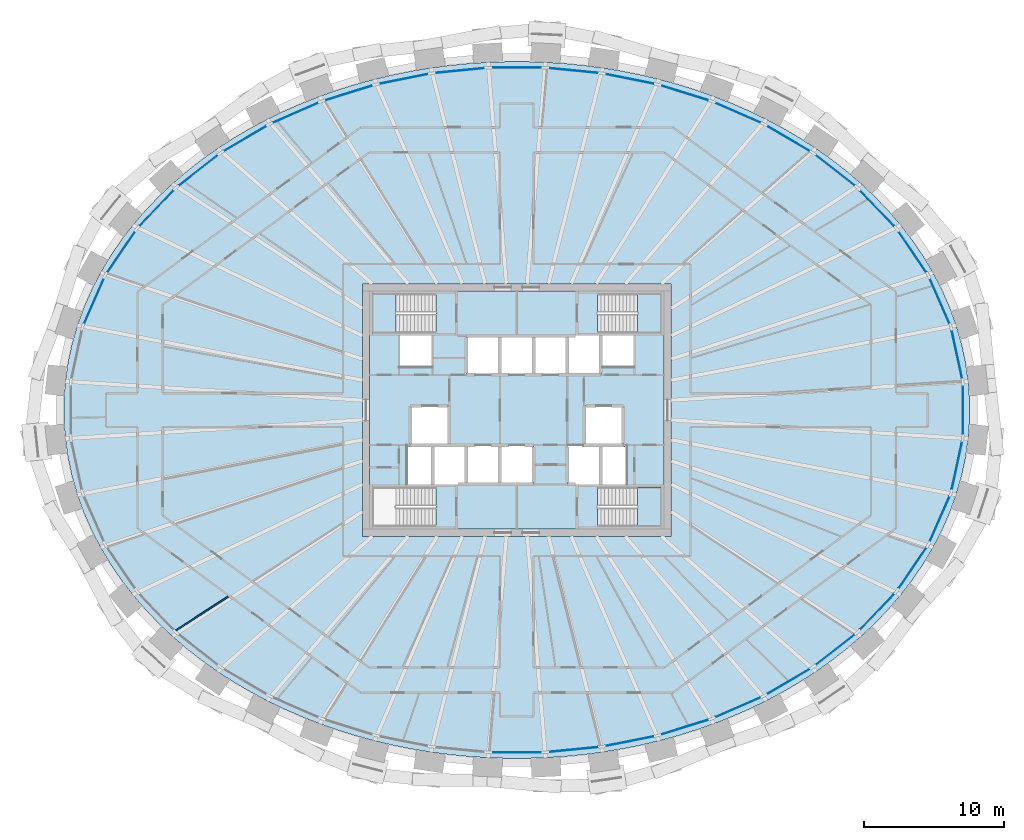
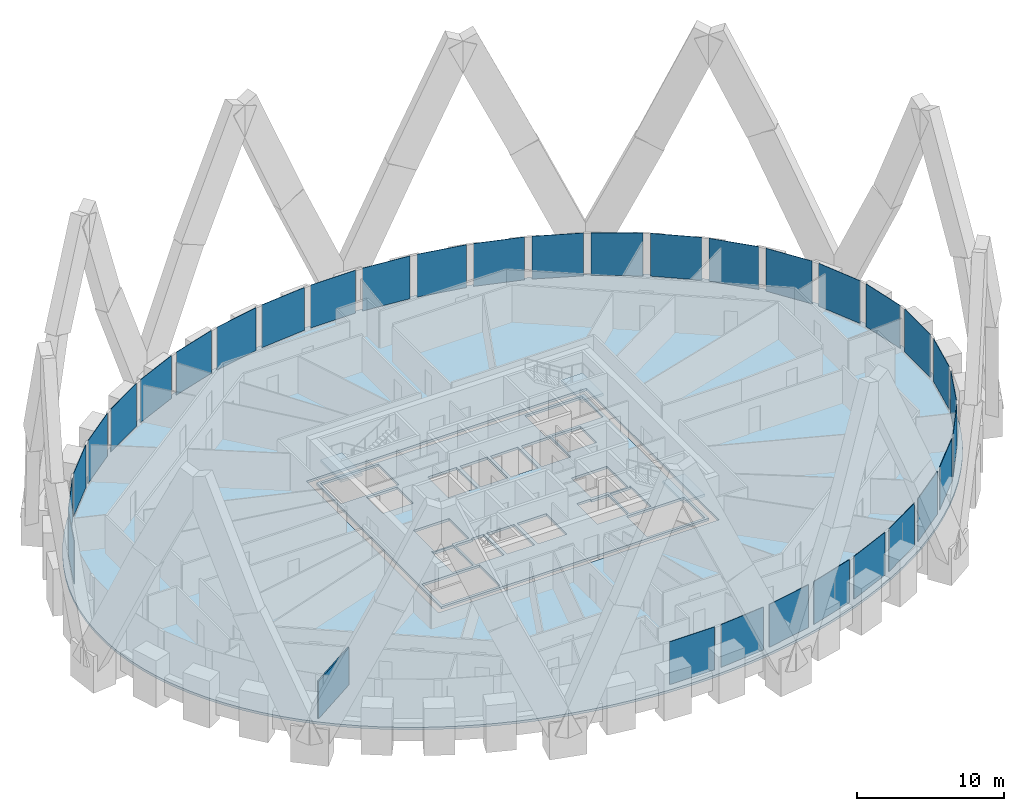
# One storey, part 6 of 14: 32 plates, 5 slabs, 1 wall, 4 elements without a shape of their own.
"""IFC4 building model written with IfcOpenShell, lengths in metres."""

from ifc_helpers import new_model, si_unit, direction, frame, frame_2d, origin, origin_2d, place, context, subcontext, project, spatial, polyline, rectangle, outline, extrude, source, transform, mapped, material, layer, layer_set, type_object, element, aggregate, save


model = new_model("IFC4")

# Units and contexts
model_context = context("Model", 3, precision=1e-05, world=origin(), true_north=direction((0.0, 1.0)))
body_context = subcontext(model_context, "Body", "Model", "MODEL_VIEW")
ifc_project = project(units=[si_unit("LENGTHUNIT", "METRE"), si_unit("AREAUNIT", "SQUARE_METRE"), si_unit("VOLUMEUNIT", "CUBIC_METRE"), si_unit("PLANEANGLEUNIT", "RADIAN"), si_unit("MASSUNIT", "GRAM", prefix="KILO")], contexts=[model_context])

# Site, building, storey
site_placement = place(None, origin())
site = spatial("IfcSite", under=ifc_project, at=site_placement, CompositionType="ELEMENT")
building_placement = place(site_placement, origin())
building = spatial("IfcBuilding", under=site, at=building_placement, Name="Embergate Tower", CompositionType="ELEMENT")
storey_placement = place(building_placement, frame((0.0, 0.0, 257.800048828125)))
storey = spatial("IfcBuildingStorey", under=building, at=storey_placement, Name="L59", CompositionType="ELEMENT", Elevation=257.800048828125)

# Slab
ifc_material_1 = material(Name="Concrete C40", Category="concrete")
ifc_layer_1 = layer(ifc_material_1, 0.199951171875)
ifc_layer_set_1 = layer_set([ifc_layer_1], Name="Concrete C40")
slab_type_1 = type_object("IfcSlabType", Name="Composite floor slab C40 200", PredefinedType="FLOOR", material=ifc_layer_set_1)
shared_shape_1 = source(origin(), body_context, "Body", "SweptSolid", [
    extrude(outline(polyline([(0.0, 0.0), (1.3662109375, 0.0), (2.731201171875, 0.044189453125), (4.09716796875, 0.133056640625), (5.4560546875, 0.26708984375), (6.80712890625, 0.445068359375), (8.16015625, 0.669189453125), (9.5, 0.93798828125), (10.822998046875, 1.25), (12.149169921875, 1.612060546875), (13.453125, 2.01806640625), (14.734130859375, 2.468017578125), (16.01611328125, 2.97216796875), (17.26708984375, 3.51904296875), (18.486083984375, 4.109130859375), (19.703125, 4.759033203125), (20.881103515625, 5.451171875), (22.01611328125, 6.18408203125), (23.14306640625, 6.984130859375), (24.22021484375, 7.8251953125), (25.244140625, 8.703125), (26.248046875, 9.655029296875), (27.191162109375, 10.64306640625), (28.069091796875, 11.666015625), (28.9111328125, 12.76318359375), (29.67822265625, 13.89208984375), (30.3701171875, 15.050048828125), (31.003173828125, 16.276123046875), (31.552001953125, 17.526123046875), (32.01318359375, 18.796142578125), (32.39404296875, 20.1171875), (32.68115234375, 21.451171875), (32.873046875, 22.795166015625), (32.97119140625, 24.158203125), (32.97119140625, 25.52197265625), (32.873046875, 26.885009765625), (32.68115234375, 28.22900390625), (32.39404296875, 29.56298828125), (32.01318359375, 30.884033203125), (31.552001953125, 32.154052734375), (31.003173828125, 33.404052734375), (30.3701171875, 34.630126953125), (29.67822265625, 35.7880859375), (28.9111328125, 36.9169921875), (28.069091796875, 38.01416015625), (27.191162109375, 39.037109375), (26.248046875, 40.025146484375), (25.244140625, 40.97705078125), (24.22021484375, 41.85498046875), (23.14306640625, 42.696044921875), (22.01611328125, 43.49609375), (20.881103515625, 44.22900390625), (19.703125, 44.921142578125), (18.486083984375, 45.571044921875), (17.26708984375, 46.1611328125), (16.01611328125, 46.7080078125), (14.734130859375, 47.212158203125), (13.453125, 47.662109375), (12.149169921875, 48.068115234375), (10.822998046875, 48.43017578125), (9.5, 48.7421875), (8.16015625, 49.010986328125), (6.80712890625, 49.235107421875), (5.4560546875, 49.4130859375), (4.09716796875, 49.547119140625), (2.731201171875, 49.635986328125), (1.3662109375, 49.68017578125), (0.0, 49.68017578125), (-1.364990234375, 49.635986328125), (-2.73095703125, 49.547119140625), (-4.08984375, 49.4130859375), (-5.44091796875, 49.235107421875), (-6.7939453125, 49.010986328125), (-8.1337890625, 48.7421875), (-9.456787109375, 48.43017578125), (-10.782958984375, 48.068115234375), (-12.0869140625, 47.662109375), (-13.367919921875, 47.212158203125), (-14.64990234375, 46.7080078125), (-15.90087890625, 46.1611328125), (-17.119873046875, 45.571044921875), (-18.3369140625, 44.921142578125), (-19.514892578125, 44.22900390625), (-20.64990234375, 43.49609375), (-21.77685546875, 42.696044921875), (-22.85400390625, 41.85498046875), (-23.8779296875, 40.97705078125), (-24.8818359375, 40.025146484375), (-25.824951171875, 39.037109375), (-26.702880859375, 38.01416015625), (-27.544921875, 36.9169921875), (-28.31201171875, 35.7880859375), (-29.00390625, 34.630126953125), (-29.636962890625, 33.404052734375), (-30.185791015625, 32.154052734375), (-30.64697265625, 30.884033203125), (-31.02783203125, 29.56298828125), (-31.31494140625, 28.22900390625), (-31.5068359375, 26.885009765625), (-31.60498046875, 25.52197265625), (-31.60498046875, 24.158203125), (-31.5068359375, 22.795166015625), (-31.31494140625, 21.451171875), (-31.02783203125, 20.1171875), (-30.64697265625, 18.796142578125), (-30.185791015625, 17.526123046875), (-29.636962890625, 16.276123046875), (-29.00390625, 15.050048828125), (-28.31201171875, 13.89208984375), (-27.544921875, 12.76318359375), (-26.702880859375, 11.666015625), (-25.824951171875, 10.64306640625), (-24.8818359375, 9.655029296875), (-23.8779296875, 8.703125), (-22.85400390625, 7.8251953125), (-21.77685546875, 6.984130859375), (-20.64990234375, 6.18408203125), (-19.514892578125, 5.451171875), (-18.3369140625, 4.759033203125), (-17.119873046875, 4.109130859375), (-15.90087890625, 3.51904296875), (-14.64990234375, 2.97216796875), (-13.367919921875, 2.468017578125), (-12.0869140625, 2.01806640625), (-10.782958984375, 1.612060546875), (-9.456787109375, 1.25), (-8.1337890625, 0.93798828125), (-6.7939453125, 0.669189453125), (-5.44091796875, 0.445068359375), (-4.08984375, 0.26708984375), (-2.73095703125, 0.133056640625), (-1.364990234375, 0.044189453125), (0.0, 0.0)]), holes=[polyline([(-10.31689453125, 15.840087890625), (-10.31689453125, 33.840087890625), (11.68310546875, 33.840087890625), (11.68310546875, 15.840087890625), (-10.31689453125, 15.840087890625)])]), origin(), (0.0, 0.0, 1.0), 0.199951171875),
])
slab_1_placement = place(storey_placement, frame((-0.68310546875, -24.840087890625, -0.199951171875)))
element("IfcSlab", 1, at=slab_1_placement, inside=storey, type_object=slab_type_1, Name="SLB-L59-00", PredefinedType="FLOOR", context=body_context, shape_type="MappedRepresentation", body=[
    mapped(shared_shape_1, transform((0.0, 0.0, 0.0))),
])

# Curtain wall, plates
ifc_material_2 = material(Name="Aluminium and glass", Category="aluminium")
curtain_wall_type = type_object("IfcCurtainWallType", Name="Recessed office glazing", PredefinedType="NOTDEFINED", material=ifc_material_2)
curtain_wall_placement = place(storey_placement, origin())
curtain_wall = element("IfcCurtainWall", 2, at=curtain_wall_placement, inside=storey, type_object=curtain_wall_type, Name="Recessed office glazing ring", ObjectType="RECESSED OFFICE GLAZING", PredefinedType="USERDEFINED")
ifc_material_3 = material(Name="Triple glazing, low-emissivity coating", Category="glass")
ifc_layer_2 = layer(ifc_material_3, 0.035888671875)
ifc_layer_set_2 = layer_set([ifc_layer_2], Name="Triple glazing, low-emissivity coating")
plate_type = type_object("IfcPlateType", Name="Office glazing unit", PredefinedType="CURTAIN_PANEL", material=ifc_layer_set_2)
shared_shape_2 = source(origin(), body_context, "Body", "SweptSolid", [
    extrude(rectangle(XDim=3.489013671875, YDim=0.035888671875, at=origin_2d()), origin(), (0.0, 0.0, 1.0), 3.550048828125),
])
plate_1_placement = place(storey_placement, frame((31.380859375, 3.962890625, 0.14990234375), z_axis=(0.0, 0.0, 1.0), x_axis=(-0.210401803698, 0.977614996305, 0.0)))
plate_1 = element("IfcPlate", 3, at=plate_1_placement, type_object=plate_type, Name="CW panel 1.1", PredefinedType="CURTAIN_PANEL", context=body_context, shape_type="MappedRepresentation", body=[
    mapped(shared_shape_2, transform((0.0, 0.0, 0.0))),
])
plate_2_placement = place(storey_placement, frame((31.380859375, -3.962890625, 0.14990234375), z_axis=(0.0, 0.0, 1.0), x_axis=(0.210401803698, 0.977614996305, 0.0)))
plate_2 = element("IfcPlate", 4, at=plate_2_placement, type_object=plate_type, Name="CW panel 43.1", PredefinedType="CURTAIN_PANEL", context=body_context, shape_type="MappedRepresentation", body=[
    mapped(shared_shape_2, transform((0.0, 0.0, 0.0))),
])
shared_shape_3 = source(origin(), body_context, "Body", "SweptSolid", [
    extrude(rectangle(XDim=3.495849609375, YDim=0.035888671875, at=origin_2d()), origin(), (0.0, 0.0, 1.0), 3.550048828125),
])
plate_3_placement = place(storey_placement, frame((30.152587890625, 7.761474609375, 0.14990234375), z_axis=(0.0, 0.0, 1.0), x_axis=(-0.401656896229, 0.915790225822, 0.0)))
plate_3 = element("IfcPlate", 5, at=plate_3_placement, type_object=plate_type, Name="CW panel 2.1", PredefinedType="CURTAIN_PANEL", context=body_context, shape_type="MappedRepresentation", body=[
    mapped(shared_shape_3, transform((0.0, 0.0, 0.0))),
])
plate_4_placement = place(storey_placement, frame((-30.152587890625, 7.761474609375, 0.14990234375), z_axis=(0.0, 0.0, 1.0), x_axis=(-0.401656896229, -0.915790225822, 0.0)))
plate_4 = element("IfcPlate", 6, at=plate_4_placement, type_object=plate_type, Name="CW panel 20.1", PredefinedType="CURTAIN_PANEL", context=body_context, shape_type="MappedRepresentation", body=[
    mapped(shared_shape_3, transform((0.0, 0.0, 0.0))),
])
plate_5_placement = place(storey_placement, frame((30.152587890625, -7.761474609375, 0.14990234375), z_axis=(0.0, 0.0, 1.0), x_axis=(0.401656896229, 0.915790225822, 0.0)))
plate_5 = element("IfcPlate", 7, at=plate_5_placement, type_object=plate_type, Name="CW panel 42.1", PredefinedType="CURTAIN_PANEL", context=body_context, shape_type="MappedRepresentation", body=[
    mapped(shared_shape_3, transform((0.0, 0.0, 0.0))),
])
shared_shape_4 = source(origin(), body_context, "Body", "SweptSolid", [
    extrude(rectangle(XDim=3.504638671875, YDim=0.035888671875, at=origin_2d()), origin(), (0.0, 0.0, 1.0), 3.550048828125),
])
plate_6_placement = place(storey_placement, frame((28.214599609375, 11.264404296875, 0.14990234375), z_axis=(0.0, 0.0, 1.0), x_axis=(-0.562346071572, 0.826901986809, 0.0)))
plate_6 = element("IfcPlate", 8, at=plate_6_placement, type_object=plate_type, Name="CW panel 3.1", PredefinedType="CURTAIN_PANEL", context=body_context, shape_type="MappedRepresentation", body=[
    mapped(shared_shape_4, transform((0.0, 0.0, 0.0))),
])
plate_7_placement = place(storey_placement, frame((-28.214599609375, 11.264404296875, 0.14990234375), z_axis=(0.0, 0.0, 1.0), x_axis=(-0.562346071572, -0.826901986809, 0.0)))
plate_7 = element("IfcPlate", 9, at=plate_7_placement, type_object=plate_type, Name="CW panel 19.1", PredefinedType="CURTAIN_PANEL", context=body_context, shape_type="MappedRepresentation", body=[
    mapped(shared_shape_4, transform((0.0, 0.0, 0.0))),
])
plate_8_placement = place(storey_placement, frame((28.214599609375, -11.264404296875, 0.14990234375), z_axis=(0.0, 0.0, 1.0), x_axis=(0.562346071572, 0.826901986809, 0.0)))
plate_8 = element("IfcPlate", 10, at=plate_8_placement, type_object=plate_type, Name="CW panel 41.1", PredefinedType="CURTAIN_PANEL", context=body_context, shape_type="MappedRepresentation", body=[
    mapped(shared_shape_4, transform((0.0, 0.0, 0.0))),
])
shared_shape_5 = source(origin(), body_context, "Body", "SweptSolid", [
    extrude(rectangle(XDim=3.51318359375, YDim=0.035888671875, at=origin_2d()), origin(), (0.0, 0.0, 1.0), 3.550048828125),
])
plate_9_placement = place(storey_placement, frame((25.691162109375, 14.3876953125, 0.14990234375), z_axis=(0.0, 0.0, 1.0), x_axis=(-0.690137573644, 0.723678194673, 0.0)))
plate_9 = element("IfcPlate", 11, at=plate_9_placement, type_object=plate_type, Name="CW panel 4.1", PredefinedType="CURTAIN_PANEL", context=body_context, shape_type="MappedRepresentation", body=[
    mapped(shared_shape_5, transform((0.0, 0.0, 0.0))),
])
plate_10_placement = place(storey_placement, frame((-25.691162109375, 14.3876953125, 0.14990234375), z_axis=(0.0, 0.0, 1.0), x_axis=(-0.690137573644, -0.723678194673, 0.0)))
plate_10 = element("IfcPlate", 12, at=plate_10_placement, type_object=plate_type, Name="CW panel 18.1", PredefinedType="CURTAIN_PANEL", context=body_context, shape_type="MappedRepresentation", body=[
    mapped(shared_shape_5, transform((0.0, 0.0, 0.0))),
])
plate_11_placement = place(storey_placement, frame((25.691162109375, -14.3876953125, 0.14990234375), z_axis=(0.0, 0.0, 1.0), x_axis=(0.690137573644, 0.723678194673, 0.0)))
plate_11 = element("IfcPlate", 13, at=plate_11_placement, type_object=plate_type, Name="CW panel 40.1", PredefinedType="CURTAIN_PANEL", context=body_context, shape_type="MappedRepresentation", body=[
    mapped(shared_shape_5, transform((0.0, 0.0, 0.0))),
])
shared_shape_6 = source(origin(), body_context, "Body", "SweptSolid", [
    extrude(rectangle(XDim=3.5205078125, YDim=0.035888671875, at=origin_2d()), origin(), (0.0, 0.0, 1.0), 3.550048828125),
])
plate_12_placement = place(storey_placement, frame((22.706787109375, 17.08984375, 0.14990234375), z_axis=(0.0, 0.0, 1.0), x_axis=(-0.788322266931, 0.615262548398, 0.0)))
plate_12 = element("IfcPlate", 14, at=plate_12_placement, type_object=plate_type, Name="CW panel 5.1", PredefinedType="CURTAIN_PANEL", context=body_context, shape_type="MappedRepresentation", body=[
    mapped(shared_shape_6, transform((0.0, 0.0, 0.0))),
])
plate_13_placement = place(storey_placement, frame((-22.706787109375, 17.08984375, 0.14990234375), z_axis=(0.0, 0.0, 1.0), x_axis=(-0.788322266931, -0.615262548398, 0.0)))
plate_13 = element("IfcPlate", 15, at=plate_13_placement, type_object=plate_type, Name="CW panel 17.1", PredefinedType="CURTAIN_PANEL", context=body_context, shape_type="MappedRepresentation", body=[
    mapped(shared_shape_6, transform((0.0, 0.0, 0.0))),
])
plate_14_placement = place(storey_placement, frame((22.706787109375, -17.08984375, 0.14990234375), z_axis=(0.0, 0.0, 1.0), x_axis=(0.788322266931, 0.615262548398, 0.0)))
plate_14 = element("IfcPlate", 16, at=plate_14_placement, type_object=plate_type, Name="CW panel 39.1", PredefinedType="CURTAIN_PANEL", context=body_context, shape_type="MappedRepresentation", body=[
    mapped(shared_shape_6, transform((0.0, 0.0, 0.0))),
])
shared_shape_7 = source(origin(), body_context, "Body", "SweptSolid", [
    extrude(rectangle(XDim=3.5263671875, YDim=0.035888671875, at=origin_2d()), origin(), (0.0, 0.0, 1.0), 3.550048828125),
])
plate_15_placement = place(storey_placement, frame((19.370361328125, 19.358154296875, 0.14990234375), z_axis=(0.0, 0.0, 1.0), x_axis=(-0.862054936934, 0.506814843614, 0.0)))
plate_15 = element("IfcPlate", 17, at=plate_15_placement, type_object=plate_type, Name="CW panel 6.1", PredefinedType="CURTAIN_PANEL", context=body_context, shape_type="MappedRepresentation", body=[
    mapped(shared_shape_7, transform((0.0, 0.0, 0.0))),
])
plate_16_placement = place(storey_placement, frame((-19.370361328125, 19.358154296875, 0.14990234375), z_axis=(0.0, 0.0, 1.0), x_axis=(-0.862054936934, -0.506814843614, 0.0)))
plate_16 = element("IfcPlate", 18, at=plate_16_placement, type_object=plate_type, Name="CW panel 16.1", PredefinedType="CURTAIN_PANEL", context=body_context, shape_type="MappedRepresentation", body=[
    mapped(shared_shape_7, transform((0.0, 0.0, 0.0))),
])
plate_17_placement = place(storey_placement, frame((19.370361328125, -19.358154296875, 0.14990234375), z_axis=(0.0, 0.0, 1.0), x_axis=(0.862054936934, 0.506814843614, 0.0)))
plate_17 = element("IfcPlate", 19, at=plate_17_placement, type_object=plate_type, Name="CW panel 38.1", PredefinedType="CURTAIN_PANEL", context=body_context, shape_type="MappedRepresentation", body=[
    mapped(shared_shape_7, transform((0.0, 0.0, 0.0))),
])
shared_shape_8 = source(origin(), body_context, "Body", "SweptSolid", [
    extrude(rectangle(XDim=3.53076171875, YDim=0.035888671875, at=origin_2d()), origin(), (0.0, 0.0, 1.0), 3.550048828125),
])
plate_18_placement = place(storey_placement, frame((15.7705078125, 21.195068359375, 0.14990234375), z_axis=(0.0, 0.0, 1.0), x_axis=(-0.916236910986, 0.400636896638, 0.0)))
plate_18 = element("IfcPlate", 20, at=plate_18_placement, type_object=plate_type, Name="CW panel 7.1", PredefinedType="CURTAIN_PANEL", context=body_context, shape_type="MappedRepresentation", body=[
    mapped(shared_shape_8, transform((0.0, 0.0, 0.0))),
])
plate_19_placement = place(storey_placement, frame((-15.7705078125, 21.195068359375, 0.14990234375), z_axis=(0.0, 0.0, 1.0), x_axis=(-0.916236910986, -0.400636896638, 0.0)))
plate_19 = element("IfcPlate", 21, at=plate_19_placement, type_object=plate_type, Name="CW panel 15.1", PredefinedType="CURTAIN_PANEL", context=body_context, shape_type="MappedRepresentation", body=[
    mapped(shared_shape_8, transform((0.0, 0.0, 0.0))),
])
plate_20_placement = place(storey_placement, frame((15.7705078125, -21.195068359375, 0.14990234375), z_axis=(0.0, 0.0, 1.0), x_axis=(0.916236910986, 0.400636896638, 0.0)))
plate_20 = element("IfcPlate", 22, at=plate_20_placement, type_object=plate_type, Name="CW panel 37.1", PredefinedType="CURTAIN_PANEL", context=body_context, shape_type="MappedRepresentation", body=[
    mapped(shared_shape_8, transform((0.0, 0.0, 0.0))),
])
shared_shape_9 = source(origin(), body_context, "Body", "SweptSolid", [
    extrude(rectangle(XDim=3.533935546875, YDim=0.035888671875, at=origin_2d()), origin(), (0.0, 0.0, 1.0), 3.550048828125),
])
plate_21_placement = place(storey_placement, frame((11.9794921875, 22.609130859375, 0.14990234375), z_axis=(0.0, 0.0, 1.0), x_axis=(-0.954772736126, 0.297336547283, 0.0)))
plate_21 = element("IfcPlate", 23, at=plate_21_placement, type_object=plate_type, Name="CW panel 8.1", PredefinedType="CURTAIN_PANEL", context=body_context, shape_type="MappedRepresentation", body=[
    mapped(shared_shape_9, transform((0.0, 0.0, 0.0))),
])
plate_22_placement = place(storey_placement, frame((-11.9794921875, 22.609130859375, 0.14990234375), z_axis=(0.0, 0.0, 1.0), x_axis=(-0.954772736126, -0.297336547283, 0.0)))
plate_22 = element("IfcPlate", 24, at=plate_22_placement, type_object=plate_type, Name="CW panel 14.1", PredefinedType="CURTAIN_PANEL", context=body_context, shape_type="MappedRepresentation", body=[
    mapped(shared_shape_9, transform((0.0, 0.0, 0.0))),
])
plate_23_placement = place(storey_placement, frame((11.9794921875, -22.609130859375, 0.14990234375), z_axis=(0.0, 0.0, 1.0), x_axis=(0.954772736126, 0.297336547283, 0.0)))
plate_23 = element("IfcPlate", 25, at=plate_23_placement, type_object=plate_type, Name="CW panel 36.1", PredefinedType="CURTAIN_PANEL", context=body_context, shape_type="MappedRepresentation", body=[
    mapped(shared_shape_9, transform((0.0, 0.0, 0.0))),
])
shared_shape_10 = source(origin(), body_context, "Body", "SweptSolid", [
    extrude(rectangle(XDim=3.5361328125, YDim=0.035888671875, at=origin_2d()), origin(), (0.0, 0.0, 1.0), 3.550048828125),
])
plate_24_placement = place(storey_placement, frame((8.055419921875, 23.610595703125, 0.14990234375), z_axis=(0.0, 0.0, 1.0), x_axis=(-0.980475907409, 0.196639250889, 0.0)))
plate_24 = element("IfcPlate", 26, at=plate_24_placement, type_object=plate_type, Name="CW panel 9.1", PredefinedType="CURTAIN_PANEL", context=body_context, shape_type="MappedRepresentation", body=[
    mapped(shared_shape_10, transform((0.0, 0.0, 0.0))),
])
plate_25_placement = place(storey_placement, frame((-8.055419921875, 23.610595703125, 0.14990234375), z_axis=(0.0, 0.0, 1.0), x_axis=(-0.980475907409, -0.196639250889, 0.0)))
plate_25 = element("IfcPlate", 27, at=plate_25_placement, type_object=plate_type, Name="CW panel 13.1", PredefinedType="CURTAIN_PANEL", context=body_context, shape_type="MappedRepresentation", body=[
    mapped(shared_shape_10, transform((0.0, 0.0, 0.0))),
])
plate_26_placement = place(storey_placement, frame((8.055419921875, -23.610595703125, 0.14990234375), z_axis=(0.0, 0.0, 1.0), x_axis=(0.980475907409, 0.196639250889, 0.0)))
plate_26 = element("IfcPlate", 28, at=plate_26_placement, type_object=plate_type, Name="CW panel 35.1", PredefinedType="CURTAIN_PANEL", context=body_context, shape_type="MappedRepresentation", body=[
    mapped(shared_shape_10, transform((0.0, 0.0, 0.0))),
])
shared_shape_11 = source(origin(), body_context, "Body", "SweptSolid", [
    extrude(rectangle(XDim=3.53759765625, YDim=0.035888671875, at=origin_2d()), origin(), (0.0, 0.0, 1.0), 3.550048828125),
])
plate_27_placement = place(storey_placement, frame((4.048095703125, 24.2080078125, 0.14990234375), z_axis=(0.0, 0.0, 1.0), x_axis=(-0.995203184788, 0.097829550688, 0.0)))
plate_27 = element("IfcPlate", 29, at=plate_27_placement, type_object=plate_type, Name="CW panel 10.1", PredefinedType="CURTAIN_PANEL", context=body_context, shape_type="MappedRepresentation", body=[
    mapped(shared_shape_11, transform((0.0, 0.0, 0.0))),
])
plate_28_placement = place(storey_placement, frame((-4.048095703125, 24.2080078125, 0.14990234375), z_axis=(0.0, 0.0, 1.0), x_axis=(-0.995203184788, -0.097829550688, 0.0)))
plate_28 = element("IfcPlate", 30, at=plate_28_placement, type_object=plate_type, Name="CW panel 12.1", PredefinedType="CURTAIN_PANEL", context=body_context, shape_type="MappedRepresentation", body=[
    mapped(shared_shape_11, transform((0.0, 0.0, 0.0))),
])
plate_29_placement = place(storey_placement, frame((4.048095703125, -24.2080078125, 0.14990234375), z_axis=(0.0, 0.0, 1.0), x_axis=(0.995203184788, 0.097829550688, 0.0)))
plate_29 = element("IfcPlate", 31, at=plate_29_placement, type_object=plate_type, Name="CW panel 34.1", PredefinedType="CURTAIN_PANEL", context=body_context, shape_type="MappedRepresentation", body=[
    mapped(shared_shape_11, transform((0.0, 0.0, 0.0))),
])
shared_shape_12 = source(origin(), body_context, "Body", "SweptSolid", [
    extrude(rectangle(XDim=3.537841796875, YDim=0.035888671875, at=origin_2d()), origin(), (0.0, 0.0, 1.0), 3.550048828125),
])
plate_30_placement = place(storey_placement, frame((0.0, 24.406494140625, 0.14990234375), z_axis=(0.0, 0.0, 1.0), x_axis=(-1.0, 0.0, 0.0)))
plate_30 = element("IfcPlate", 32, at=plate_30_placement, type_object=plate_type, Name="CW panel 11.1", PredefinedType="CURTAIN_PANEL", context=body_context, shape_type="MappedRepresentation", body=[
    mapped(shared_shape_12, transform((0.0, 0.0, 0.0))),
])
plate_31_placement = place(storey_placement, frame((0.0, -24.406494140625, 0.14990234375), z_axis=(0.0, 0.0, 1.0), x_axis=(1.0, 0.0, 0.0)))
plate_31 = element("IfcPlate", 33, at=plate_31_placement, type_object=plate_type, Name="CW panel 33.1", PredefinedType="CURTAIN_PANEL", context=body_context, shape_type="MappedRepresentation", body=[
    mapped(shared_shape_12, transform((0.0, 0.0, 0.0))),
])
shared_shape_13 = source(origin(), body_context, "Body", "SweptSolid", [
    extrude(rectangle(XDim=3.486572265625, YDim=0.035888671875, at=origin_2d()), origin(), (0.0, 0.0, 1.0), 3.550048828125),
])
plate_32_placement = place(storey_placement, frame((31.802490234375, 0.0, 0.14990234375), z_axis=(0.0, 0.0, 1.0), x_axis=(0.0, 1.0, 0.0)))
plate_32 = element("IfcPlate", 34, at=plate_32_placement, type_object=plate_type, Name="CW panel 44.1", PredefinedType="CURTAIN_PANEL", context=body_context, shape_type="MappedRepresentation", body=[
    mapped(shared_shape_13, transform((0.0, 0.0, 0.0))),
])
aggregate(curtain_wall, [plate_1, plate_3, plate_6, plate_9, plate_12, plate_15, plate_18, plate_21, plate_24, plate_27, plate_30, plate_28, plate_25, plate_22, plate_19, plate_16, plate_13, plate_10, plate_7, plate_4, plate_31, plate_29, plate_26, plate_23, plate_20, plate_17, plate_14, plate_11, plate_8, plate_5, plate_2, plate_32])

# Stair, slab
ifc_material_4 = material(Name="Exit stair")
stair_type = type_object("IfcStairType", Name="Exit stair", PredefinedType="HALF_TURN_STAIR", material=ifc_material_4)
stair_1_placement = place(storey_placement, origin())
stair_1 = element("IfcStair", 35, at=stair_1_placement, inside=storey, type_object=stair_type, Name="L59 Exit stair 1", PredefinedType="HALF_TURN_STAIR")
ifc_layer_3 = layer(ifc_material_1, 0.199951171875)
ifc_layer_set_3 = layer_set([ifc_layer_3], Name="Concrete C40")
slab_type_2 = type_object("IfcSlabType", Name="Stair landing reinforced concrete", PredefinedType="LANDING", material=ifc_layer_set_3)
shared_shape_14 = source(origin(), body_context, "Body", "SweptSolid", [
    extrude(outline(polyline([(0.0, 0.0), (1.68994140625, 0.0), (1.68994140625, 2.800048828125), (0.0, 2.800048828125), (0.0, 0.0)])), origin(), (0.0, 0.0, 1.0), 0.199951171875),
])
slab_2_placement = place(storey_placement, frame((-10.300048828125, 5.5, 1.75)))
slab_2 = element("IfcSlab", 36, at=slab_2_placement, type_object=slab_type_2, Name="ST1 landing 1", PredefinedType="LANDING", context=body_context, shape_type="MappedRepresentation", body=[
    mapped(shared_shape_14, transform((0.0, 0.0, 0.0))),
])
aggregate(stair_1, [slab_2])

stair_2_placement = place(storey_placement, origin())
stair_2 = element("IfcStair", 37, at=stair_2_placement, inside=storey, type_object=stair_type, Name="L59 Exit stair 2", PredefinedType="HALF_TURN_STAIR")
slab_3_placement = place(storey_placement, frame((8.610107421875, 5.5, 1.75)))
slab_3 = element("IfcSlab", 38, at=slab_3_placement, type_object=slab_type_2, Name="ST2 landing 1", PredefinedType="LANDING", context=body_context, shape_type="MappedRepresentation", body=[
    mapped(shared_shape_14, transform((0.0, 0.0, 0.0))),
])
aggregate(stair_2, [slab_3])

stair_3_placement = place(storey_placement, origin())
stair_3 = element("IfcStair", 39, at=stair_3_placement, inside=storey, type_object=stair_type, Name="L59 Exit stair 4", PredefinedType="HALF_TURN_STAIR")
slab_4_placement = place(storey_placement, frame((8.610107421875, -8.300048828125, 1.75)))
slab_4 = element("IfcSlab", 40, at=slab_4_placement, type_object=slab_type_2, Name="ST4 landing 1", PredefinedType="LANDING", context=body_context, shape_type="MappedRepresentation", body=[
    mapped(shared_shape_14, transform((0.0, 0.0, 0.0))),
])
aggregate(stair_3, [slab_4])

# Slab
ifc_layer_4 = layer(ifc_material_1, 0.199951171875)
ifc_layer_set_4 = layer_set([ifc_layer_4], Name="Concrete C40")
slab_type_3 = type_object("IfcSlabType", Name="Core floor slab 200 reinforced concrete", PredefinedType="FLOOR", material=ifc_layer_set_4)
shared_shape_15 = source(origin(), body_context, "Body", "SweptSolid", [
    extrude(outline(polyline([(0.0, 0.0), (21.0, 0.0), (21.0, 17.0), (0.0, 17.0), (0.0, 0.0)]), holes=[polyline([(0.199951171875, 0.199951171875), (0.199951171875, 3.0), (4.739990234375, 3.0), (4.739990234375, 0.199951171875), (0.199951171875, 0.199951171875)]), polyline([(16.260009765625, 0.199951171875), (16.260009765625, 3.0), (20.800048828125, 3.0), (20.800048828125, 0.199951171875), (16.260009765625, 0.199951171875)]), polyline([(2.699951171875, 3.199951171875), (2.699951171875, 6.0), (2.77490234375, 6.0), (2.77490234375, 5.875), (4.375, 5.875), (4.375, 3.199951171875), (2.699951171875, 3.199951171875)]), polyline([(4.5, 3.199951171875), (4.5, 5.875), (5.824951171875, 5.875), (5.824951171875, 6.0), (6.77490234375, 6.0), (6.77490234375, 3.199951171875), (4.5, 3.199951171875)]), polyline([(7.02490234375, 3.199951171875), (7.02490234375, 6.0), (9.175048828125, 6.0), (9.175048828125, 3.199951171875), (7.02490234375, 3.199951171875)]), polyline([(9.425048828125, 3.199951171875), (9.425048828125, 6.0), (11.699951171875, 6.0), (11.699951171875, 3.199951171875), (9.425048828125, 3.199951171875)]), polyline([(14.10009765625, 3.199951171875), (14.10009765625, 6.0), (15.175048828125, 6.0), (15.175048828125, 5.875), (16.5, 5.875), (16.5, 3.199951171875), (14.10009765625, 3.199951171875)]), polyline([(16.625, 3.199951171875), (16.625, 5.875), (18.22509765625, 5.875), (18.22509765625, 6.0), (18.300048828125, 6.0), (18.300048828125, 3.199951171875), (16.625, 3.199951171875)]), polyline([(2.89990234375, 6.0), (2.89990234375, 8.800048828125), (5.699951171875, 8.800048828125), (5.699951171875, 6.125), (4.375, 6.125), (4.375, 6.0), (2.89990234375, 6.0)]), polyline([(16.625, 6.0), (16.625, 6.125), (15.300048828125, 6.125), (15.300048828125, 8.800048828125), (18.10009765625, 8.800048828125), (18.10009765625, 6.0), (16.625, 6.0)]), polyline([(6.89990234375, 11.0), (6.89990234375, 13.800048828125), (9.175048828125, 13.800048828125), (9.175048828125, 11.0), (6.89990234375, 11.0)]), polyline([(9.425048828125, 11.0), (9.425048828125, 13.800048828125), (11.574951171875, 13.800048828125), (11.574951171875, 11.0), (9.425048828125, 11.0)]), polyline([(11.824951171875, 11.0), (11.824951171875, 13.800048828125), (13.97509765625, 13.800048828125), (13.97509765625, 11.0), (11.824951171875, 11.0)]), polyline([(14.22509765625, 11.0), (14.22509765625, 13.800048828125), (16.5, 13.800048828125), (16.5, 11.0), (14.22509765625, 11.0)]), polyline([(2.10009765625, 11.60009765625), (2.10009765625, 13.800048828125), (4.5, 13.800048828125), (4.5, 11.60009765625), (2.10009765625, 11.60009765625)]), polyline([(16.625, 11.60009765625), (16.625, 13.800048828125), (18.89990234375, 13.800048828125), (18.89990234375, 11.60009765625), (16.625, 11.60009765625)]), polyline([(0.199951171875, 14.0), (0.199951171875, 16.800048828125), (4.739990234375, 16.800048828125), (4.739990234375, 14.0), (0.199951171875, 14.0)]), polyline([(16.260009765625, 14.0), (16.260009765625, 16.800048828125), (20.800048828125, 16.800048828125), (20.800048828125, 14.0), (16.260009765625, 14.0)])]), origin(), (0.0, 0.0, 1.0), 0.199951171875),
])
slab_5_placement = place(storey_placement, frame((-10.5, -8.5, -0.199951171875)))
element("IfcSlab", 41, at=slab_5_placement, inside=storey, type_object=slab_type_3, Name="Core floor slab", PredefinedType="FLOOR", context=body_context, shape_type="MappedRepresentation", body=[
    mapped(shared_shape_15, transform((0.0, 0.0, 0.0))),
])

# Wall
ifc_material_5 = material(Name="Partition dry-lined 100")
ifc_layer_5 = layer(ifc_material_5, 0.10009765625)
ifc_layer_set_5 = layer_set([ifc_layer_5], Name="Partition dry-lined 100")
wall_type = type_object("IfcWallType", Name="Partition dry-lined 100", PredefinedType="PARTITIONING", material=ifc_layer_set_5)
shared_shape_16 = source(origin(), body_context, "Body", "SweptSolid", [
    extrude(rectangle(XDim=4.518798828125, YDim=0.10009765625, at=frame_2d((2.25927734375, 0.0))), origin(), (0.0, 0.0, 1.0), 3.099853515625),
])
wall_placement = place(storey_placement, frame((-20.576904296875, -13.31201171875, 0.0), z_axis=(0.0, 0.0, 1.0), x_axis=(-0.839667264455, -0.543101173818, 0.0)))
element("IfcWall", 42, at=wall_placement, inside=storey, type_object=wall_type, Name="IP-1 wall", PredefinedType="PARTITIONING", context=body_context, shape_type="MappedRepresentation", body=[
    mapped(shared_shape_16, transform((0.0, 0.0, 0.0))),
])

save(model, "model.ifc")
